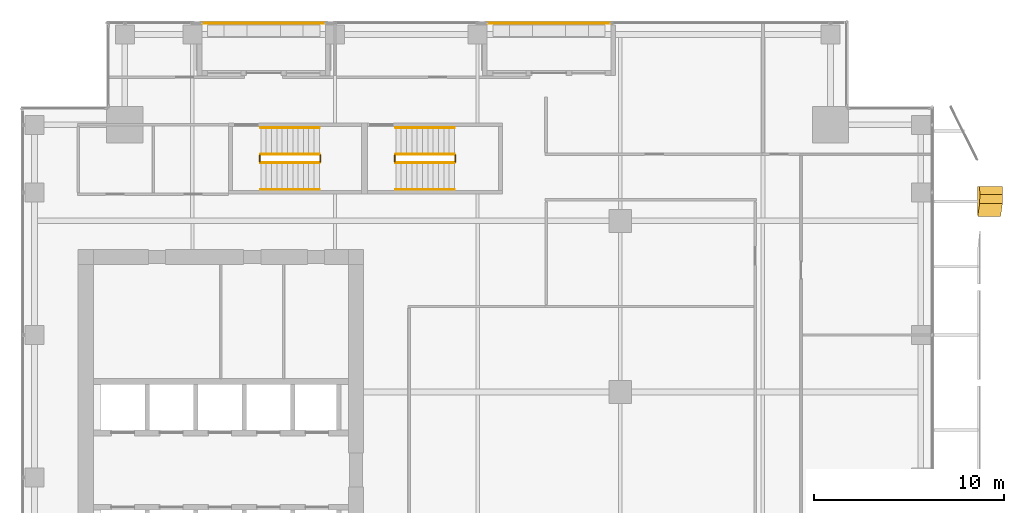
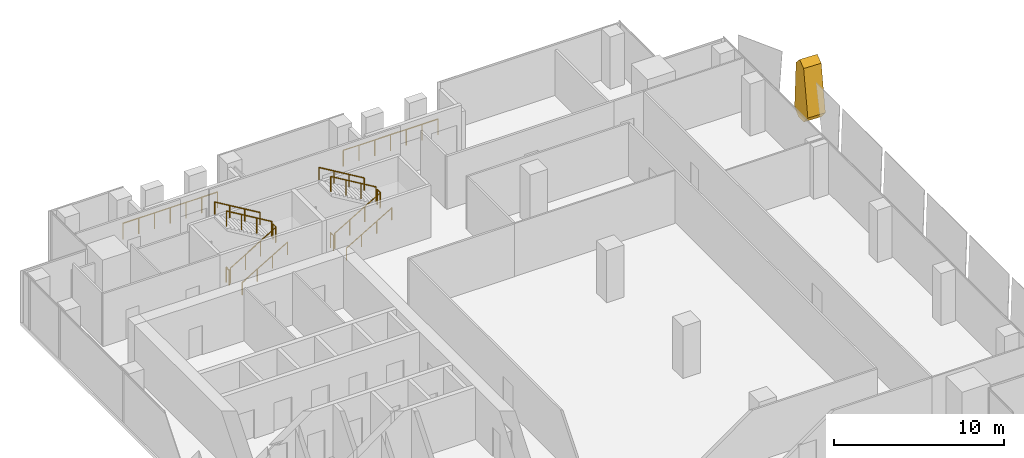
# One storey, part 37 of 38: 14 railings, 1 covering.
"""IFC4 building model written with IfcOpenShell, lengths in metres."""

from ifc_helpers import new_model, si_unit, direction, frame, origin, origin_2d, place, context, subcontext, project, spatial, polyline, circle, outline, extrude, source, transform, mapped, material, layer, layer_set, type_object, element, save


model = new_model("IFC4")

# Units and contexts
model_context = context("Model", 3, precision=1e-05, world=origin(), true_north=direction((0.0, 1.0)))
body_context = subcontext(model_context, "Body", "Model", "MODEL_VIEW")
ifc_project = project(units=[si_unit("LENGTHUNIT", "METRE"), si_unit("AREAUNIT", "SQUARE_METRE"), si_unit("VOLUMEUNIT", "CUBIC_METRE"), si_unit("PLANEANGLEUNIT", "RADIAN"), si_unit("MASSUNIT", "GRAM", prefix="KILO")], contexts=[model_context])

# Site, building, storey
site_placement = place(None, origin())
site = spatial("IfcSite", under=ifc_project, at=site_placement, CompositionType="ELEMENT")
building_placement = place(site_placement, origin())
building = spatial("IfcBuilding", under=site, at=building_placement, Name="Khomas Fold Tower", CompositionType="ELEMENT")
storey_placement = place(building_placement, frame((0.0, 0.0, 208.699951171875)))
storey = spatial("IfcBuildingStorey", under=building, at=storey_placement, Name="L46", CompositionType="ELEMENT", Elevation=208.699951171875)

# Covering
ifc_material_1 = material(Name="Natural stone cladding", Category="masonry")
ifc_layer = layer(ifc_material_1, 1.199951171875)
ifc_layer_set = layer_set([ifc_layer], Name="Natural stone cladding")
covering_type = type_object("IfcCoveringType", Name="SK-Karibib marble stone panel", PredefinedType="CLADDING", material=ifc_layer_set)
covering_placement = place(storey_placement, frame((53.29443359375, 40.7412109375, 0.544189453125), z_axis=(-0.999509667627, 1.3983837e-05, 0.031311725033), x_axis=(0.030622254215, 0.209133621535, 0.977407492242)))
element("IfcCovering", 1, at=covering_placement, inside=storey, type_object=covering_type, Name="OUTER SKIN leaf L46 ES06-2", PredefinedType="CLADDING", context=body_context, shape_type="SweptSolid", body=[
    extrude(outline(polyline([(0.0, 0.0), (3.1974828665801134, 1.1102230246251565e-16), (3.6453109653131586, 0.4028000015882396), (3.291680091324116, 0.890120071929831), (0.23380649766661665, 1.5440853368963656), (-0.300512682859402, 1.1982304047264944), (-0.44041163867112154, 0.5440774308809206), (0.0, 0.0)])), origin(), (0.0, 0.0, -1.0), 1.199951171875),
])

# Railings
ifc_material_2 = material(Name="Powder-coated steel", Category="steel")
railing_type_1 = type_object("IfcRailingType", Name="Balcony guard", PredefinedType="GUARDRAIL", material=ifc_material_2)
shared_shape_1 = source(origin(), body_context, "Body", "SweptSolid", [
    extrude(circle(Radius=0.02490234375, at=origin_2d()), frame((0.0, 0.0, 1.125), z_axis=(1.0, 0.0, 0.0), x_axis=(0.0, 1.0, 0.0)), (0.0, 0.0, 1.0), 6.43994140625),
    extrude(circle(Radius=0.02001953125, at=origin_2d()), origin(), (0.0, 0.0, 1.0), 1.099853515625),
    extrude(circle(Radius=0.02001953125, at=origin_2d()), frame((1.0732421875, 0.0, 0.0)), (0.0, 0.0, 1.0), 1.099853515625),
    extrude(circle(Radius=0.02001953125, at=origin_2d()), frame((2.146728515625, 0.0, 0.0)), (0.0, 0.0, 1.0), 1.099853515625),
    extrude(circle(Radius=0.02001953125, at=origin_2d()), frame((3.219970703125, 0.0, 0.0)), (0.0, 0.0, 1.0), 1.099853515625),
    extrude(circle(Radius=0.02001953125, at=origin_2d()), frame((4.293212890625, 0.0, 0.0)), (0.0, 0.0, 1.0), 1.099853515625),
    extrude(circle(Radius=0.02001953125, at=origin_2d()), frame((5.36669921875, 0.0, 0.0)), (0.0, 0.0, 1.0), 1.099853515625),
    extrude(circle(Radius=0.02001953125, at=origin_2d()), frame((6.43994140625, 0.0, 0.0)), (0.0, 0.0, 1.0), 1.099853515625),
])
for number, where, name in (
    (2, (12.530029296875, 50.89990234375, -0.044921875), "Balcony guard BAL-L46-N1"),
    (3, (27.530029296875, 50.89990234375, -0.044921875), "Balcony guard BAL-L46-N3"),
):
    element("IfcRailing", number, at=place(storey_placement, frame(where)), inside=storey, type_object=railing_type_1, Name=name, PredefinedType="GUARDRAIL", context=body_context, shape_type="MappedRepresentation", body=[
        mapped(shared_shape_1, transform((0.0, 0.0, 0.0))),
    ])
ifc_material_3 = material(Name="Steel balustrade", Category="steel")
railing_type_2 = type_object("IfcRailingType", Name="Stair guard", PredefinedType="GUARDRAIL", material=ifc_material_3)
shared_shape_2 = source(origin(), body_context, "Body", "SweptSolid", [
    extrude(circle(Radius=0.02392578125, at=origin_2d()), frame((0.0, 0.0, 1.076171875), z_axis=(0.0, 1.0, 0.0), x_axis=(-1.0, 0.0, 0.0)), (0.0, 0.0, 1.0), 0.349853515625),
    extrude(circle(Radius=0.02099609375, at=origin_2d()), origin(), (0.0, 0.0, 1.0), 1.052001953125),
    extrude(circle(Radius=0.02099609375, at=origin_2d()), frame((0.0, 0.349853515625, 0.0)), (0.0, 0.0, 1.0), 1.052001953125),
])
for number, where, name in (
    (4, (18.72998046875, 43.60009765625, 2.0), "L46 ST1 stair guard 2"),
    (5, (15.550048828125, 43.60009765625, 0.0), "L46 ST1 stair guard 4"),
    (6, (25.830078125, 43.60009765625, 2.0), "L46 ST3 stair guard 2"),
    (7, (22.64990234375, 43.60009765625, 0.0), "L46 ST3 stair guard 4"),
):
    element("IfcRailing", number, at=place(storey_placement, frame(where)), inside=storey, type_object=railing_type_2, Name=name, PredefinedType="GUARDRAIL", context=body_context, shape_type="MappedRepresentation", body=[
        mapped(shared_shape_2, transform((0.0, 0.0, 0.0))),
    ])
shared_shape_3 = source(origin(), body_context, "Body", "SweptSolid", [
    extrude(circle(Radius=0.02392578125, at=origin_2d()), frame((0.0, 0.0, 1.076171875), z_axis=(0.859290745958, 0.0, 0.51148745235), x_axis=(0.0, 1.0, 0.0)), (0.0, 0.0, 1.0), 3.584228515625),
    extrude(circle(Radius=0.02099609375, at=origin_2d()), origin(), (0.0, 0.0, 1.0), 1.052001953125),
    extrude(circle(Radius=0.02099609375, at=origin_2d()), frame((1.026611328125, 0.0, 0.611083984375)), (0.0, 0.0, 1.0), 1.052001953125),
    extrude(circle(Radius=0.02099609375, at=origin_2d()), frame((2.05322265625, 0.0, 1.22216796875)), (0.0, 0.0, 1.0), 1.052001953125),
    extrude(circle(Radius=0.02099609375, at=origin_2d()), frame((3.079833984375, 0.0, 1.833251953125)), (0.0, 0.0, 1.0), 1.052001953125),
])
railing_1_placement = place(storey_placement, frame((15.60009765625, 43.550048828125, 0.166748046875)))
element("IfcRailing", 8, at=railing_1_placement, inside=storey, type_object=railing_type_2, Name="L46 ST1 stair guard 1", PredefinedType="GUARDRAIL", context=body_context, shape_type="MappedRepresentation", body=[
    mapped(shared_shape_3, transform((0.0, 0.0, 0.0))),
])
shared_shape_4 = source(origin(), body_context, "Body", "SweptSolid", [
    extrude(circle(Radius=0.02392578125, at=origin_2d()), frame((0.0, 0.0, 1.076171875), z_axis=(-0.859290745958, 0.0, 0.51148745235), x_axis=(0.0, -1.0, 0.0)), (0.0, 0.0, 1.0), 3.584228515625),
    extrude(circle(Radius=0.02099609375, at=origin_2d()), origin(), (0.0, 0.0, 1.0), 1.052001953125),
    extrude(circle(Radius=0.02099609375, at=origin_2d()), frame((-1.026611328125, 0.0, 0.611083984375)), (0.0, 0.0, 1.0), 1.052001953125),
    extrude(circle(Radius=0.02099609375, at=origin_2d()), frame((-2.05322265625, 0.0, 1.22216796875)), (0.0, 0.0, 1.0), 1.052001953125),
    extrude(circle(Radius=0.02099609375, at=origin_2d()), frame((-3.079833984375, 0.0, 1.833251953125)), (0.0, 0.0, 1.0), 1.052001953125),
])
railing_2_placement = place(storey_placement, frame((18.679931640625, 44.0, 2.166748046875)))
element("IfcRailing", 9, at=railing_2_placement, inside=storey, type_object=railing_type_2, Name="L46 ST1 stair guard 3", PredefinedType="GUARDRAIL", context=body_context, shape_type="MappedRepresentation", body=[
    mapped(shared_shape_4, transform((0.0, 0.0, 0.0))),
])
ifc_material_4 = material(Name="Steel handrail", Category="steel")
railing_type_3 = type_object("IfcRailingType", Name="Stair handrail", PredefinedType="HANDRAIL", material=ifc_material_4)
shared_shape_5 = source(origin(), body_context, "Body", "SweptSolid", [
    extrude(circle(Radius=0.02392578125, at=origin_2d()), frame((0.0, 0.0, 0.8759765625), z_axis=(0.859290745958, 0.0, 0.51148745235), x_axis=(0.0, 1.0, 0.0)), (0.0, 0.0, 1.0), 3.584228515625),
    extrude(circle(Radius=0.02099609375, at=origin_2d()), origin(), (0.0, 0.0, 1.0), 0.851806640625),
    extrude(circle(Radius=0.02099609375, at=origin_2d()), frame((1.026611328125, 0.0, 0.611083984375)), (0.0, 0.0, 1.0), 0.851806640625),
    extrude(circle(Radius=0.02099609375, at=origin_2d()), frame((2.05322265625, 0.0, 1.22216796875)), (0.0, 0.0, 1.0), 0.851806640625),
    extrude(circle(Radius=0.02099609375, at=origin_2d()), frame((3.079833984375, 0.0, 1.833251953125)), (0.0, 0.0, 1.0), 0.851806640625),
])
railing_3_placement = place(storey_placement, frame((15.60009765625, 42.14990234375, 0.166748046875)))
element("IfcRailing", 10, at=railing_3_placement, inside=storey, type_object=railing_type_3, Name="L46 ST1 stair handrail 1", PredefinedType="HANDRAIL", context=body_context, shape_type="MappedRepresentation", body=[
    mapped(shared_shape_5, transform((0.0, 0.0, 0.0))),
])
shared_shape_6 = source(origin(), body_context, "Body", "SweptSolid", [
    extrude(circle(Radius=0.02392578125, at=origin_2d()), frame((0.0, 0.0, 0.8759765625), z_axis=(-0.859290745958, 0.0, 0.51148745235), x_axis=(0.0, -1.0, 0.0)), (0.0, 0.0, 1.0), 3.584228515625),
    extrude(circle(Radius=0.02099609375, at=origin_2d()), origin(), (0.0, 0.0, 1.0), 0.851806640625),
    extrude(circle(Radius=0.02099609375, at=origin_2d()), frame((-1.026611328125, 0.0, 0.611083984375)), (0.0, 0.0, 1.0), 0.851806640625),
    extrude(circle(Radius=0.02099609375, at=origin_2d()), frame((-2.05322265625, 0.0, 1.22216796875)), (0.0, 0.0, 1.0), 0.851806640625),
    extrude(circle(Radius=0.02099609375, at=origin_2d()), frame((-3.079833984375, 0.0, 1.833251953125)), (0.0, 0.0, 1.0), 0.851806640625),
])
railing_4_placement = place(storey_placement, frame((18.679931640625, 45.39990234375, 2.166748046875)))
element("IfcRailing", 11, at=railing_4_placement, inside=storey, type_object=railing_type_3, Name="L46 ST1 stair handrail 2", PredefinedType="HANDRAIL", context=body_context, shape_type="MappedRepresentation", body=[
    mapped(shared_shape_6, transform((0.0, 0.0, 0.0))),
])
shared_shape_7 = source(origin(), body_context, "Body", "SweptSolid", [
    extrude(circle(Radius=0.02392578125, at=origin_2d()), frame((0.0, 0.0, 1.076171875), z_axis=(0.859308565015, 0.0, 0.511457515432), x_axis=(0.0, 1.0, 0.0)), (0.0, 0.0, 1.0), 3.58447265625),
    extrude(circle(Radius=0.02099609375, at=origin_2d()), origin(), (0.0, 0.0, 1.0), 1.052001953125),
    extrude(circle(Radius=0.02099609375, at=origin_2d()), frame((1.026611328125, 0.0, 0.611083984375)), (0.0, 0.0, 1.0), 1.052001953125),
    extrude(circle(Radius=0.02099609375, at=origin_2d()), frame((2.053466796875, 0.0, 1.22216796875)), (0.0, 0.0, 1.0), 1.052001953125),
    extrude(circle(Radius=0.02099609375, at=origin_2d()), frame((3.080078125, 0.0, 1.833251953125)), (0.0, 0.0, 1.0), 1.052001953125),
])
railing_5_placement = place(storey_placement, frame((22.699951171875, 43.550048828125, 0.166748046875)))
element("IfcRailing", 12, at=railing_5_placement, inside=storey, type_object=railing_type_2, Name="L46 ST3 stair guard 1", PredefinedType="GUARDRAIL", context=body_context, shape_type="MappedRepresentation", body=[
    mapped(shared_shape_7, transform((0.0, 0.0, 0.0))),
])
shared_shape_8 = source(origin(), body_context, "Body", "SweptSolid", [
    extrude(circle(Radius=0.02392578125, at=origin_2d()), frame((0.0, 0.0, 1.076171875), z_axis=(-0.859308565015, 0.0, 0.511457515432), x_axis=(0.0, -1.0, 0.0)), (0.0, 0.0, 1.0), 3.58447265625),
    extrude(circle(Radius=0.02099609375, at=origin_2d()), origin(), (0.0, 0.0, 1.0), 1.052001953125),
    extrude(circle(Radius=0.02099609375, at=origin_2d()), frame((-1.026611328125, 0.0, 0.611083984375)), (0.0, 0.0, 1.0), 1.052001953125),
    extrude(circle(Radius=0.02099609375, at=origin_2d()), frame((-2.053466796875, 0.0, 1.22216796875)), (0.0, 0.0, 1.0), 1.052001953125),
    extrude(circle(Radius=0.02099609375, at=origin_2d()), frame((-3.080078125, 0.0, 1.833251953125)), (0.0, 0.0, 1.0), 1.052001953125),
])
railing_6_placement = place(storey_placement, frame((25.780029296875, 44.0, 2.166748046875)))
element("IfcRailing", 13, at=railing_6_placement, inside=storey, type_object=railing_type_2, Name="L46 ST3 stair guard 3", PredefinedType="GUARDRAIL", context=body_context, shape_type="MappedRepresentation", body=[
    mapped(shared_shape_8, transform((0.0, 0.0, 0.0))),
])
shared_shape_9 = source(origin(), body_context, "Body", "SweptSolid", [
    extrude(circle(Radius=0.02392578125, at=origin_2d()), frame((0.0, 0.0, 0.8759765625), z_axis=(0.859308565015, 0.0, 0.511457515432), x_axis=(0.0, 1.0, 0.0)), (0.0, 0.0, 1.0), 3.58447265625),
    extrude(circle(Radius=0.02099609375, at=origin_2d()), origin(), (0.0, 0.0, 1.0), 0.851806640625),
    extrude(circle(Radius=0.02099609375, at=origin_2d()), frame((1.026611328125, 0.0, 0.611083984375)), (0.0, 0.0, 1.0), 0.851806640625),
    extrude(circle(Radius=0.02099609375, at=origin_2d()), frame((2.053466796875, 0.0, 1.22216796875)), (0.0, 0.0, 1.0), 0.851806640625),
    extrude(circle(Radius=0.02099609375, at=origin_2d()), frame((3.080078125, 0.0, 1.833251953125)), (0.0, 0.0, 1.0), 0.851806640625),
])
railing_7_placement = place(storey_placement, frame((22.699951171875, 42.14990234375, 0.166748046875)))
element("IfcRailing", 14, at=railing_7_placement, inside=storey, type_object=railing_type_3, Name="L46 ST3 stair handrail 1", PredefinedType="HANDRAIL", context=body_context, shape_type="MappedRepresentation", body=[
    mapped(shared_shape_9, transform((0.0, 0.0, 0.0))),
])
shared_shape_10 = source(origin(), body_context, "Body", "SweptSolid", [
    extrude(circle(Radius=0.02392578125, at=origin_2d()), frame((0.0, 0.0, 0.8759765625), z_axis=(-0.859308565015, 0.0, 0.511457515432), x_axis=(0.0, -1.0, 0.0)), (0.0, 0.0, 1.0), 3.58447265625),
    extrude(circle(Radius=0.02099609375, at=origin_2d()), origin(), (0.0, 0.0, 1.0), 0.851806640625),
    extrude(circle(Radius=0.02099609375, at=origin_2d()), frame((-1.026611328125, 0.0, 0.611083984375)), (0.0, 0.0, 1.0), 0.851806640625),
    extrude(circle(Radius=0.02099609375, at=origin_2d()), frame((-2.053466796875, 0.0, 1.22216796875)), (0.0, 0.0, 1.0), 0.851806640625),
    extrude(circle(Radius=0.02099609375, at=origin_2d()), frame((-3.080078125, 0.0, 1.833251953125)), (0.0, 0.0, 1.0), 0.851806640625),
])
railing_8_placement = place(storey_placement, frame((25.780029296875, 45.39990234375, 2.166748046875)))
element("IfcRailing", 15, at=railing_8_placement, inside=storey, type_object=railing_type_3, Name="L46 ST3 stair handrail 2", PredefinedType="HANDRAIL", context=body_context, shape_type="MappedRepresentation", body=[
    mapped(shared_shape_10, transform((0.0, 0.0, 0.0))),
])

save(model, "model.ifc")
